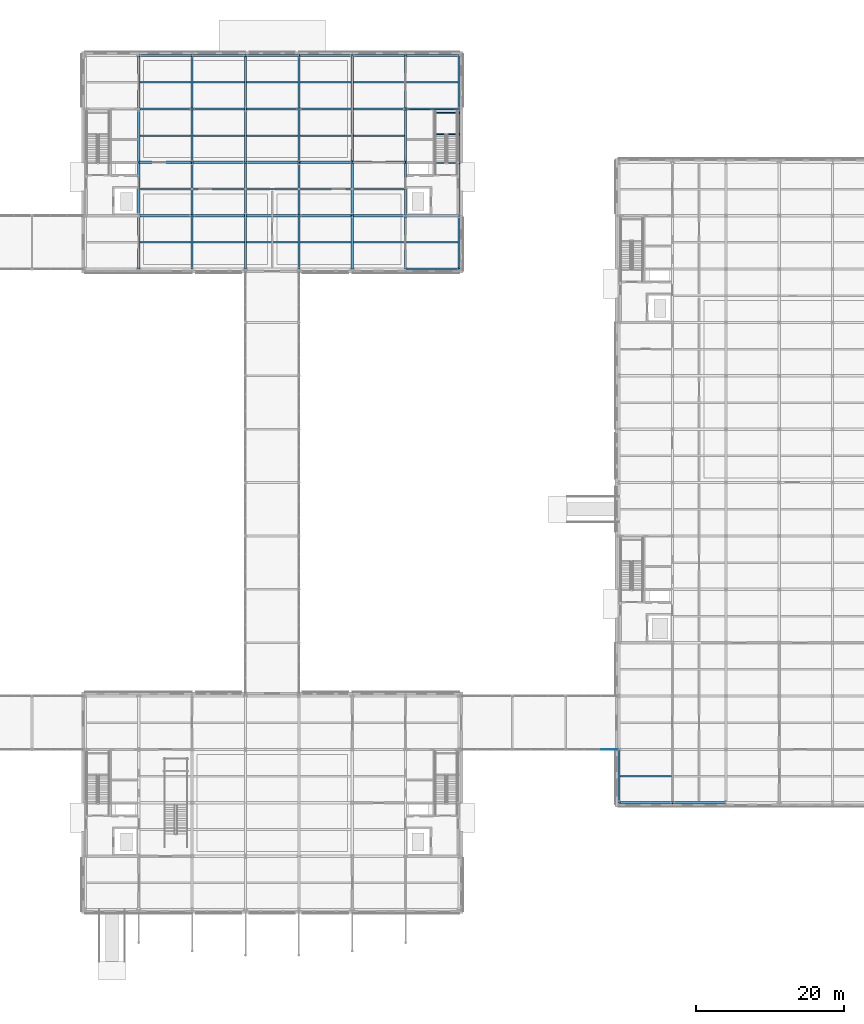
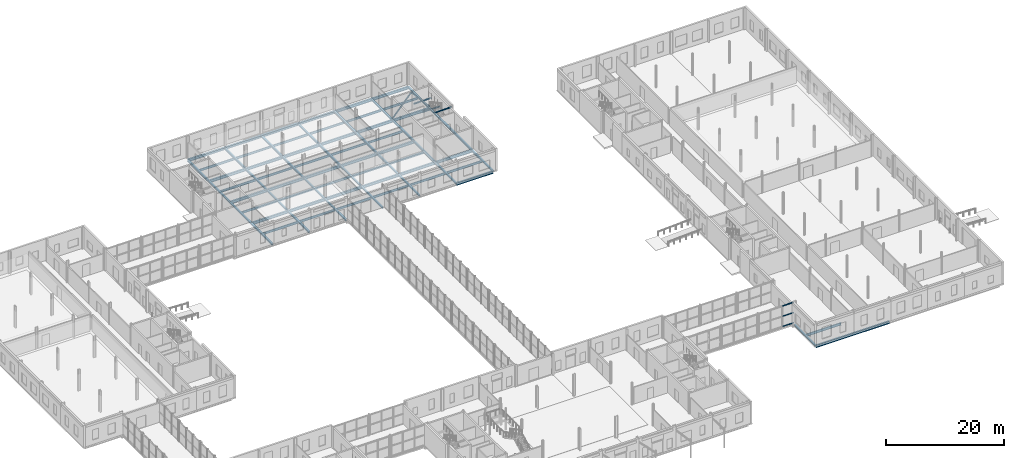
# One storey, part 38 of 92: 81 beams, 5 members, 1 element without a shape of its own.
"""IFC4 building model written with IfcOpenShell, lengths in metres."""

from ifc_helpers import new_model, si_unit, direction, frame, origin, origin_2d, place, context, subcontext, project, spatial, rectangle, hollow_rectangle, i_section, extrude, material, material_profile, profile_set, type_object, element, aggregate, save


model = new_model("IFC4")

# Units and contexts
model_context = context("Model", 3, precision=1e-05, world=origin(), true_north=direction((0.0, 1.0)))
body_context = subcontext(model_context, "Body", "Model", "MODEL_VIEW")
ifc_project = project(units=[si_unit("LENGTHUNIT", "METRE"), si_unit("AREAUNIT", "SQUARE_METRE"), si_unit("VOLUMEUNIT", "CUBIC_METRE"), si_unit("PLANEANGLEUNIT", "RADIAN"), si_unit("MASSUNIT", "GRAM", prefix="KILO")], contexts=[model_context])

# Site, building, storey
site_placement = place(None, origin())
site = spatial("IfcSite", under=ifc_project, at=site_placement, CompositionType="ELEMENT")
building_placement = place(site_placement, origin())
building = spatial("IfcBuilding", under=site, at=building_placement, Name="Zlatovets Crest Museum", CompositionType="ELEMENT")
storey_placement = place(building_placement, origin())
storey = spatial("IfcBuildingStorey", under=building, at=storey_placement, Name="L00", CompositionType="ELEMENT", Elevation=0.0)

# Beams
ifc_material_1 = material(Name="Structural steel S355J2", Category="steel")
ifc_material_profile_1 = material_profile(ifc_material_1, i_section(OverallWidth=0.300048828125, OverallDepth=0.35009765625, WebThickness=0.010009765625, FlangeThickness=0.017578125, FilletRadius=0.027099609375, at=origin_2d()), Name="HEA 360")
ifc_profile_set_1 = profile_set([ifc_material_profile_1], Name="Structural steel S355J2")
beam_type_1 = type_object("IfcBeamType", Name="Beam_B-03", PredefinedType="BEAM", material=ifc_profile_set_1)
beam_1_placement = place(storey_placement, frame((64.800048828125, 86.39990234375, -0.425048828125), z_axis=(0.0, 1.0, 0.0), x_axis=(-1.0, 0.0, 0.0)))
element("IfcBeam", 1, at=beam_1_placement, inside=storey, type_object=beam_type_1, Name="V1 L00 Grid Beam B-03", PredefinedType="BEAM", context=body_context, shape_type="SweptSolid", body=[
    extrude(i_section(OverallWidth=0.300048828125, OverallDepth=0.35009765625, WebThickness=0.010009765625, FlangeThickness=0.017578125, FilletRadius=0.027099609375, at=origin_2d()), origin(), (0.0, 0.0, 1.0), 7.2001953125),
])
for number, where, z_axis, x_axis, name in (
    (2, (64.800048828125, 93.60009765625, -0.425048828125), (0.0, 1.0, 0.0), (-1.0, 0.0, 0.0), "V1 L00 Grid Beam B-03"),
    (3, (64.800048828125, 100.800048828125, -0.425048828125), (0.0, 1.0, 0.0), (-1.0, 0.0, 0.0), "V1 L00 Grid Beam B-03"),
    (4, (64.800048828125, 108.0, -0.425048828125), (0.0, 1.0, 0.0), (-1.0, 0.0, 0.0), "V1 L00 Grid Beam B-03"),
):
    element("IfcBeam", number, at=place(storey_placement, frame(where, z_axis=z_axis, x_axis=x_axis)), inside=storey, type_object=beam_type_1, Name=name, PredefinedType="BEAM", context=body_context, shape_type="SweptSolid", body=[
        extrude(i_section(OverallWidth=0.300048828125, OverallDepth=0.35009765625, WebThickness=0.010009765625, FlangeThickness=0.017578125, FilletRadius=0.027099609375, at=origin_2d()), origin(), (0.0, 0.0, 1.0), 7.199951171875),
    ])
beam_2_placement = place(storey_placement, frame((72.0, 86.39990234375, -0.425048828125), z_axis=(0.0, 1.0, 0.0), x_axis=(-1.0, 0.0, 0.0)))
element("IfcBeam", 5, at=beam_2_placement, inside=storey, type_object=beam_type_1, Name="V1 L00 Grid Beam B-03", PredefinedType="BEAM", context=body_context, shape_type="SweptSolid", body=[
    extrude(i_section(OverallWidth=0.300048828125, OverallDepth=0.35009765625, WebThickness=0.010009765625, FlangeThickness=0.017578125, FilletRadius=0.027099609375, at=origin_2d()), origin(), (0.0, 0.0, 1.0), 7.2001953125),
])
for number, where, z_axis, x_axis, name in (
    (6, (72.0, 93.60009765625, -0.425048828125), (0.0, 1.0, 0.0), (-1.0, 0.0, 0.0), "V1 L00 Grid Beam B-03"),
    (7, (72.0, 100.800048828125, -0.425048828125), (0.0, 1.0, 0.0), (-1.0, 0.0, 0.0), "V1 L00 Grid Beam B-03"),
    (8, (72.0, 108.0, -0.425048828125), (0.0, 1.0, 0.0), (-1.0, 0.0, 0.0), "V1 L00 Grid Beam B-03"),
):
    element("IfcBeam", number, at=place(storey_placement, frame(where, z_axis=z_axis, x_axis=x_axis)), inside=storey, type_object=beam_type_1, Name=name, PredefinedType="BEAM", context=body_context, shape_type="SweptSolid", body=[
        extrude(i_section(OverallWidth=0.300048828125, OverallDepth=0.35009765625, WebThickness=0.010009765625, FlangeThickness=0.017578125, FilletRadius=0.027099609375, at=origin_2d()), origin(), (0.0, 0.0, 1.0), 7.199951171875),
    ])
beam_3_placement = place(storey_placement, frame((79.199951171875, 86.39990234375, -0.425048828125), z_axis=(0.0, 1.0, 0.0), x_axis=(-1.0, 0.0, 0.0)))
element("IfcBeam", 9, at=beam_3_placement, inside=storey, type_object=beam_type_1, Name="V1 L00 Grid Beam B-03", PredefinedType="BEAM", context=body_context, shape_type="SweptSolid", body=[
    extrude(i_section(OverallWidth=0.300048828125, OverallDepth=0.35009765625, WebThickness=0.010009765625, FlangeThickness=0.017578125, FilletRadius=0.027099609375, at=origin_2d()), origin(), (0.0, 0.0, 1.0), 7.2001953125),
])
for number, where, z_axis, x_axis, name in (
    (10, (79.199951171875, 93.60009765625, -0.425048828125), (0.0, 1.0, 0.0), (-1.0, 0.0, 0.0), "V1 L00 Grid Beam B-03"),
    (11, (79.199951171875, 100.800048828125, -0.425048828125), (0.0, 1.0, 0.0), (-1.0, 0.0, 0.0), "V1 L00 Grid Beam B-03"),
    (12, (79.199951171875, 108.0, -0.425048828125), (0.0, 1.0, 0.0), (-1.0, 0.0, 0.0), "V1 L00 Grid Beam B-03"),
):
    element("IfcBeam", number, at=place(storey_placement, frame(where, z_axis=z_axis, x_axis=x_axis)), inside=storey, type_object=beam_type_1, Name=name, PredefinedType="BEAM", context=body_context, shape_type="SweptSolid", body=[
        extrude(i_section(OverallWidth=0.300048828125, OverallDepth=0.35009765625, WebThickness=0.010009765625, FlangeThickness=0.017578125, FilletRadius=0.027099609375, at=origin_2d()), origin(), (0.0, 0.0, 1.0), 7.199951171875),
    ])
beam_4_placement = place(storey_placement, frame((86.39990234375, 86.39990234375, -0.425048828125), z_axis=(0.0, 1.0, 0.0), x_axis=(-1.0, 0.0, 0.0)))
element("IfcBeam", 13, at=beam_4_placement, inside=storey, type_object=beam_type_1, Name="V1 L00 Grid Beam B-03", PredefinedType="BEAM", context=body_context, shape_type="SweptSolid", body=[
    extrude(i_section(OverallWidth=0.300048828125, OverallDepth=0.35009765625, WebThickness=0.010009765625, FlangeThickness=0.017578125, FilletRadius=0.027099609375, at=origin_2d()), origin(), (0.0, 0.0, 1.0), 7.2001953125),
])
for number, where, z_axis, x_axis, name in (
    (14, (86.39990234375, 93.60009765625, -0.425048828125), (0.0, 1.0, 0.0), (-1.0, 0.0, 0.0), "V1 L00 Grid Beam B-03"),
    (15, (86.39990234375, 100.800048828125, -0.425048828125), (0.0, 1.0, 0.0), (-1.0, 0.0, 0.0), "V1 L00 Grid Beam B-03"),
    (16, (86.39990234375, 108.0, -0.425048828125), (0.0, 1.0, 0.0), (-1.0, 0.0, 0.0), "V1 L00 Grid Beam B-03"),
):
    element("IfcBeam", number, at=place(storey_placement, frame(where, z_axis=z_axis, x_axis=x_axis)), inside=storey, type_object=beam_type_1, Name=name, PredefinedType="BEAM", context=body_context, shape_type="SweptSolid", body=[
        extrude(i_section(OverallWidth=0.300048828125, OverallDepth=0.35009765625, WebThickness=0.010009765625, FlangeThickness=0.017578125, FilletRadius=0.027099609375, at=origin_2d()), origin(), (0.0, 0.0, 1.0), 7.199951171875),
    ])
beam_5_placement = place(storey_placement, frame((93.60009765625, 86.39990234375, -0.425048828125), z_axis=(0.0, 1.0, 0.0), x_axis=(-1.0, 0.0, 0.0)))
element("IfcBeam", 17, at=beam_5_placement, inside=storey, type_object=beam_type_1, Name="V1 L00 Grid Beam B-03", PredefinedType="BEAM", context=body_context, shape_type="SweptSolid", body=[
    extrude(i_section(OverallWidth=0.300048828125, OverallDepth=0.35009765625, WebThickness=0.010009765625, FlangeThickness=0.017578125, FilletRadius=0.027099609375, at=origin_2d()), origin(), (0.0, 0.0, 1.0), 7.2001953125),
])
for number, where, z_axis, x_axis, name in (
    (18, (93.60009765625, 93.60009765625, -0.425048828125), (0.0, 1.0, 0.0), (-1.0, 0.0, 0.0), "V1 L00 Grid Beam B-03"),
    (19, (93.60009765625, 100.800048828125, -0.425048828125), (0.0, 1.0, 0.0), (-1.0, 0.0, 0.0), "V1 L00 Grid Beam B-03"),
    (20, (93.60009765625, 108.0, -0.425048828125), (0.0, 1.0, 0.0), (-1.0, 0.0, 0.0), "V1 L00 Grid Beam B-03"),
):
    element("IfcBeam", number, at=place(storey_placement, frame(where, z_axis=z_axis, x_axis=x_axis)), inside=storey, type_object=beam_type_1, Name=name, PredefinedType="BEAM", context=body_context, shape_type="SweptSolid", body=[
        extrude(i_section(OverallWidth=0.300048828125, OverallDepth=0.35009765625, WebThickness=0.010009765625, FlangeThickness=0.017578125, FilletRadius=0.027099609375, at=origin_2d()), origin(), (0.0, 0.0, 1.0), 7.199951171875),
    ])
beam_6_placement = place(storey_placement, frame((100.800048828125, 86.39990234375, -0.425048828125), z_axis=(0.0, 1.0, 0.0), x_axis=(-1.0, 0.0, 0.0)))
element("IfcBeam", 21, at=beam_6_placement, inside=storey, type_object=beam_type_1, Name="V1 L00 Grid Beam B-03", PredefinedType="BEAM", context=body_context, shape_type="SweptSolid", body=[
    extrude(i_section(OverallWidth=0.300048828125, OverallDepth=0.35009765625, WebThickness=0.010009765625, FlangeThickness=0.017578125, FilletRadius=0.027099609375, at=origin_2d()), origin(), (0.0, 0.0, 1.0), 7.2001953125),
])
for number, where, z_axis, x_axis, name in (
    (22, (100.800048828125, 93.60009765625, -0.425048828125), (0.0, 1.0, 0.0), (-1.0, 0.0, 0.0), "V1 L00 Grid Beam B-03"),
    (23, (100.800048828125, 100.800048828125, -0.425048828125), (0.0, 1.0, 0.0), (-1.0, 0.0, 0.0), "V1 L00 Grid Beam B-03"),
    (24, (100.800048828125, 108.0, -0.425048828125), (0.0, 1.0, 0.0), (-1.0, 0.0, 0.0), "V1 L00 Grid Beam B-03"),
):
    element("IfcBeam", number, at=place(storey_placement, frame(where, z_axis=z_axis, x_axis=x_axis)), inside=storey, type_object=beam_type_1, Name=name, PredefinedType="BEAM", context=body_context, shape_type="SweptSolid", body=[
        extrude(i_section(OverallWidth=0.300048828125, OverallDepth=0.35009765625, WebThickness=0.010009765625, FlangeThickness=0.017578125, FilletRadius=0.027099609375, at=origin_2d()), origin(), (0.0, 0.0, 1.0), 7.199951171875),
    ])
beam_7_placement = place(storey_placement, frame((108.0, 86.39990234375, -0.425048828125), z_axis=(0.0, 1.0, 0.0), x_axis=(-1.0, 0.0, 0.0)))
element("IfcBeam", 25, at=beam_7_placement, inside=storey, type_object=beam_type_1, Name="V1 L00 Grid Beam B-03", PredefinedType="BEAM", context=body_context, shape_type="SweptSolid", body=[
    extrude(i_section(OverallWidth=0.300048828125, OverallDepth=0.35009765625, WebThickness=0.010009765625, FlangeThickness=0.017578125, FilletRadius=0.027099609375, at=origin_2d()), origin(), (0.0, 0.0, 1.0), 7.2001953125),
])
for number, where, z_axis, x_axis, name in (
    (26, (108.0, 93.60009765625, -0.425048828125), (0.0, 1.0, 0.0), (-1.0, 0.0, 0.0), "V1 L00 Grid Beam B-03"),
    (27, (108.0, 100.800048828125, -0.425048828125), (0.0, 1.0, 0.0), (-1.0, 0.0, 0.0), "V1 L00 Grid Beam B-03"),
    (28, (108.0, 108.0, -0.425048828125), (0.0, 1.0, 0.0), (-1.0, 0.0, 0.0), "V1 L00 Grid Beam B-03"),
):
    element("IfcBeam", number, at=place(storey_placement, frame(where, z_axis=z_axis, x_axis=x_axis)), inside=storey, type_object=beam_type_1, Name=name, PredefinedType="BEAM", context=body_context, shape_type="SweptSolid", body=[
        extrude(i_section(OverallWidth=0.300048828125, OverallDepth=0.35009765625, WebThickness=0.010009765625, FlangeThickness=0.017578125, FilletRadius=0.027099609375, at=origin_2d()), origin(), (0.0, 0.0, 1.0), 7.199951171875),
    ])
beam_8_placement = place(storey_placement, frame((129.60009765625, 14.39990234375, -0.455078125), z_axis=(0.0, 1.0, 0.0), x_axis=(-1.0, 0.0, 0.0)))
element("IfcBeam", 29, at=beam_8_placement, inside=storey, type_object=beam_type_1, Name="V5 L00 Grid Beam B-03", PredefinedType="BEAM", context=body_context, shape_type="SweptSolid", body=[
    extrude(i_section(OverallWidth=0.300048828125, OverallDepth=0.35009765625, WebThickness=0.010009765625, FlangeThickness=0.017578125, FilletRadius=0.027099609375, at=origin_2d()), origin(), (0.0, 0.0, 1.0), 7.2001953125),
])
ifc_material_profile_2 = material_profile(ifc_material_1, i_section(OverallWidth=0.300048828125, OverallDepth=0.5400390625, WebThickness=0.012451171875, FlangeThickness=0.02392578125, FilletRadius=0.027099609375, at=origin_2d()), Name="HEA 550")
ifc_profile_set_2 = profile_set([ifc_material_profile_2], Name="Structural steel S355J2")
beam_type_2 = type_object("IfcBeamType", Name="Beam_B-09", PredefinedType="BEAM", material=ifc_profile_set_2)
for number, where, z_axis, x_axis, name in (
    (30, (100.800048828125, 86.39990234375, -0.52001953125), (1.0, 0.0, 0.0), (0.0, 1.0, 0.0), "V1 L00 Primary Girder B-09"),
    (31, (64.800048828125, 93.60009765625, -0.52001953125), (1.0, 0.0, 0.0), (0.0, 1.0, 0.0), "V1 L00 Primary Girder B-09"),
    (32, (72.0, 93.60009765625, -0.52001953125), (1.0, 0.0, 0.0), (0.0, 1.0, 0.0), "V1 L00 Primary Girder B-09"),
    (33, (79.199951171875, 93.60009765625, -0.52001953125), (1.0, 0.0, 0.0), (0.0, 1.0, 0.0), "V1 L00 Primary Girder B-09"),
):
    element("IfcBeam", number, at=place(storey_placement, frame(where, z_axis=z_axis, x_axis=x_axis)), inside=storey, type_object=beam_type_2, Name=name, PredefinedType="BEAM", context=body_context, shape_type="SweptSolid", body=[
        extrude(i_section(OverallWidth=0.300048828125, OverallDepth=0.5400390625, WebThickness=0.012451171875, FlangeThickness=0.02392578125, FilletRadius=0.027099609375, at=origin_2d()), origin(), (0.0, 0.0, 1.0), 7.199951171875),
    ])
beam_9_placement = place(storey_placement, frame((86.39990234375, 93.60009765625, -0.52001953125), z_axis=(1.0, 0.0, 0.0), x_axis=(0.0, 1.0, 0.0)))
element("IfcBeam", 34, at=beam_9_placement, inside=storey, type_object=beam_type_2, Name="V1 L00 Primary Girder B-09", PredefinedType="BEAM", context=body_context, shape_type="SweptSolid", body=[
    extrude(i_section(OverallWidth=0.300048828125, OverallDepth=0.5400390625, WebThickness=0.012451171875, FlangeThickness=0.02392578125, FilletRadius=0.027099609375, at=origin_2d()), origin(), (0.0, 0.0, 1.0), 7.2001953125),
])
for number, where, z_axis, x_axis, name in (
    (35, (93.60009765625, 93.60009765625, -0.52001953125), (1.0, 0.0, 0.0), (0.0, 1.0, 0.0), "V1 L00 Primary Girder B-09"),
    (36, (100.800048828125, 93.60009765625, -0.52001953125), (1.0, 0.0, 0.0), (0.0, 1.0, 0.0), "V1 L00 Primary Girder B-09"),
    (37, (64.800048828125, 100.800048828125, -0.52001953125), (1.0, 0.0, 0.0), (0.0, 1.0, 0.0), "V1 L00 Primary Girder B-09"),
    (38, (72.0, 100.800048828125, -0.52001953125), (1.0, 0.0, 0.0), (0.0, 1.0, 0.0), "V1 L00 Primary Girder B-09"),
    (39, (79.199951171875, 100.800048828125, -0.52001953125), (1.0, 0.0, 0.0), (0.0, 1.0, 0.0), "V1 L00 Primary Girder B-09"),
):
    element("IfcBeam", number, at=place(storey_placement, frame(where, z_axis=z_axis, x_axis=x_axis)), inside=storey, type_object=beam_type_2, Name=name, PredefinedType="BEAM", context=body_context, shape_type="SweptSolid", body=[
        extrude(i_section(OverallWidth=0.300048828125, OverallDepth=0.5400390625, WebThickness=0.012451171875, FlangeThickness=0.02392578125, FilletRadius=0.027099609375, at=origin_2d()), origin(), (0.0, 0.0, 1.0), 7.199951171875),
    ])
beam_10_placement = place(storey_placement, frame((86.39990234375, 100.800048828125, -0.52001953125), z_axis=(1.0, 0.0, 0.0), x_axis=(0.0, 1.0, 0.0)))
element("IfcBeam", 40, at=beam_10_placement, inside=storey, type_object=beam_type_2, Name="V1 L00 Primary Girder B-09", PredefinedType="BEAM", context=body_context, shape_type="SweptSolid", body=[
    extrude(i_section(OverallWidth=0.300048828125, OverallDepth=0.5400390625, WebThickness=0.012451171875, FlangeThickness=0.02392578125, FilletRadius=0.027099609375, at=origin_2d()), origin(), (0.0, 0.0, 1.0), 7.2001953125),
])
for number, where, z_axis, x_axis, name in (
    (41, (93.60009765625, 100.800048828125, -0.52001953125), (1.0, 0.0, 0.0), (0.0, 1.0, 0.0), "V1 L00 Primary Girder B-09"),
    (42, (64.800048828125, 108.0, -0.52001953125), (1.0, 0.0, 0.0), (0.0, 1.0, 0.0), "V1 L00 Primary Girder B-09"),
    (43, (72.0, 108.0, -0.52001953125), (1.0, 0.0, 0.0), (0.0, 1.0, 0.0), "V1 L00 Primary Girder B-09"),
    (44, (79.199951171875, 108.0, -0.52001953125), (1.0, 0.0, 0.0), (0.0, 1.0, 0.0), "V1 L00 Primary Girder B-09"),
):
    element("IfcBeam", number, at=place(storey_placement, frame(where, z_axis=z_axis, x_axis=x_axis)), inside=storey, type_object=beam_type_2, Name=name, PredefinedType="BEAM", context=body_context, shape_type="SweptSolid", body=[
        extrude(i_section(OverallWidth=0.300048828125, OverallDepth=0.5400390625, WebThickness=0.012451171875, FlangeThickness=0.02392578125, FilletRadius=0.027099609375, at=origin_2d()), origin(), (0.0, 0.0, 1.0), 7.199951171875),
    ])
beam_11_placement = place(storey_placement, frame((86.39990234375, 108.0, -0.52001953125), z_axis=(1.0, 0.0, 0.0), x_axis=(0.0, 1.0, 0.0)))
element("IfcBeam", 45, at=beam_11_placement, inside=storey, type_object=beam_type_2, Name="V1 L00 Primary Girder B-09", PredefinedType="BEAM", context=body_context, shape_type="SweptSolid", body=[
    extrude(i_section(OverallWidth=0.300048828125, OverallDepth=0.5400390625, WebThickness=0.012451171875, FlangeThickness=0.02392578125, FilletRadius=0.027099609375, at=origin_2d()), origin(), (0.0, 0.0, 1.0), 7.2001953125),
])
for number, where, z_axis, x_axis, name in (
    (46, (93.60009765625, 108.0, -0.52001953125), (1.0, 0.0, 0.0), (0.0, 1.0, 0.0), "V1 L00 Primary Girder B-09"),
    (47, (100.800048828125, 108.0, -0.52001953125), (1.0, 0.0, 0.0), (0.0, 1.0, 0.0), "V1 L00 Primary Girder B-09"),
    (48, (64.800048828125, 115.199951171875, -0.52001953125), (1.0, 0.0, 0.0), (0.0, 1.0, 0.0), "V1 L00 Primary Girder B-09"),
    (49, (72.0, 115.199951171875, -0.52001953125), (1.0, 0.0, 0.0), (0.0, 1.0, 0.0), "V1 L00 Primary Girder B-09"),
    (50, (79.199951171875, 115.199951171875, -0.52001953125), (1.0, 0.0, 0.0), (0.0, 1.0, 0.0), "V1 L00 Primary Girder B-09"),
):
    element("IfcBeam", number, at=place(storey_placement, frame(where, z_axis=z_axis, x_axis=x_axis)), inside=storey, type_object=beam_type_2, Name=name, PredefinedType="BEAM", context=body_context, shape_type="SweptSolid", body=[
        extrude(i_section(OverallWidth=0.300048828125, OverallDepth=0.5400390625, WebThickness=0.012451171875, FlangeThickness=0.02392578125, FilletRadius=0.027099609375, at=origin_2d()), origin(), (0.0, 0.0, 1.0), 7.199951171875),
    ])
beam_12_placement = place(storey_placement, frame((86.39990234375, 115.199951171875, -0.52001953125), z_axis=(1.0, 0.0, 0.0), x_axis=(0.0, 1.0, 0.0)))
element("IfcBeam", 51, at=beam_12_placement, inside=storey, type_object=beam_type_2, Name="V1 L00 Primary Girder B-09", PredefinedType="BEAM", context=body_context, shape_type="SweptSolid", body=[
    extrude(i_section(OverallWidth=0.300048828125, OverallDepth=0.5400390625, WebThickness=0.012451171875, FlangeThickness=0.02392578125, FilletRadius=0.027099609375, at=origin_2d()), origin(), (0.0, 0.0, 1.0), 7.2001953125),
])
for number, where, z_axis, x_axis, name in (
    (52, (93.60009765625, 115.199951171875, -0.52001953125), (1.0, 0.0, 0.0), (0.0, 1.0, 0.0), "V1 L00 Primary Girder B-09"),
    (53, (100.800048828125, 115.199951171875, -0.52001953125), (1.0, 0.0, 0.0), (0.0, 1.0, 0.0), "V1 L00 Primary Girder B-09"),
    (54, (129.60009765625, 14.39990234375, -0.550048828125), (1.0, 0.0, 0.0), (0.0, 1.0, 0.0), "V5 L00 Primary Girder B-09"),
    (55, (136.800048828125, 14.39990234375, -0.550048828125), (1.0, 0.0, 0.0), (0.0, 1.0, 0.0), "V5 L00 Primary Girder B-09"),
):
    element("IfcBeam", number, at=place(storey_placement, frame(where, z_axis=z_axis, x_axis=x_axis)), inside=storey, type_object=beam_type_2, Name=name, PredefinedType="BEAM", context=body_context, shape_type="SweptSolid", body=[
        extrude(i_section(OverallWidth=0.300048828125, OverallDepth=0.5400390625, WebThickness=0.012451171875, FlangeThickness=0.02392578125, FilletRadius=0.027099609375, at=origin_2d()), origin(), (0.0, 0.0, 1.0), 7.199951171875),
    ])
ifc_material_profile_3 = material_profile(ifc_material_1, i_section(OverallWidth=0.18994140625, OverallDepth=0.449951171875, WebThickness=0.009521484375, FlangeThickness=0.0146484375, FilletRadius=0.02099609375, at=origin_2d()), Name="IPE 450")
ifc_profile_set_3 = profile_set([ifc_material_profile_3], Name="Structural steel S355J2")
beam_type_3 = type_object("IfcBeamType", Name="Beam_J-05", PredefinedType="JOIST", material=ifc_profile_set_3)
for number, where, z_axis, x_axis, name in (
    (56, (64.949951171875, 90.0, -0.47509765625), (1.0, 0.0, 0.0), (0.0, 1.0, 0.0), "V1 L00 Composite Joist J-05"),
    (57, (64.949951171875, 97.199951171875, -0.47509765625), (1.0, 0.0, 0.0), (0.0, 1.0, 0.0), "V1 L00 Composite Joist J-05"),
    (58, (64.949951171875, 104.39990234375, -0.47509765625), (1.0, 0.0, 0.0), (0.0, 1.0, 0.0), "V1 L00 Composite Joist J-05"),
    (59, (64.949951171875, 111.60009765625, -0.47509765625), (1.0, 0.0, 0.0), (0.0, 1.0, 0.0), "V1 L00 Composite Joist J-05"),
    (60, (72.14990234375, 90.0, -0.47509765625), (1.0, 0.0, 0.0), (0.0, 1.0, 0.0), "V1 L00 Composite Joist J-05"),
    (61, (72.14990234375, 97.199951171875, -0.47509765625), (1.0, 0.0, 0.0), (0.0, 1.0, 0.0), "V1 L00 Composite Joist J-05"),
    (62, (72.14990234375, 104.39990234375, -0.47509765625), (1.0, 0.0, 0.0), (0.0, 1.0, 0.0), "V1 L00 Composite Joist J-05"),
    (63, (72.14990234375, 111.60009765625, -0.47509765625), (1.0, 0.0, 0.0), (0.0, 1.0, 0.0), "V1 L00 Composite Joist J-05"),
):
    element("IfcBeam", number, at=place(storey_placement, frame(where, z_axis=z_axis, x_axis=x_axis)), inside=storey, type_object=beam_type_3, Name=name, PredefinedType="JOIST", context=body_context, shape_type="SweptSolid", body=[
        extrude(i_section(OverallWidth=0.18994140625, OverallDepth=0.449951171875, WebThickness=0.009521484375, FlangeThickness=0.0146484375, FilletRadius=0.02099609375, at=origin_2d()), origin(), (0.0, 0.0, 1.0), 6.900146484375),
    ])
for number, where, z_axis, x_axis, name in (
    (64, (79.35009765625, 90.0, -0.47509765625), (1.0, 0.0, 0.0), (0.0, 1.0, 0.0), "V1 L00 Composite Joist J-05"),
    (65, (79.35009765625, 97.199951171875, -0.47509765625), (1.0, 0.0, 0.0), (0.0, 1.0, 0.0), "V1 L00 Composite Joist J-05"),
    (66, (79.35009765625, 104.39990234375, -0.47509765625), (1.0, 0.0, 0.0), (0.0, 1.0, 0.0), "V1 L00 Composite Joist J-05"),
    (67, (79.35009765625, 111.60009765625, -0.47509765625), (1.0, 0.0, 0.0), (0.0, 1.0, 0.0), "V1 L00 Composite Joist J-05"),
    (68, (86.550048828125, 90.0, -0.47509765625), (1.0, 0.0, 0.0), (0.0, 1.0, 0.0), "V1 L00 Composite Joist J-05"),
    (69, (86.550048828125, 97.199951171875, -0.47509765625), (1.0, 0.0, 0.0), (0.0, 1.0, 0.0), "V1 L00 Composite Joist J-05"),
    (70, (86.550048828125, 104.39990234375, -0.47509765625), (1.0, 0.0, 0.0), (0.0, 1.0, 0.0), "V1 L00 Composite Joist J-05"),
    (71, (86.550048828125, 111.60009765625, -0.47509765625), (1.0, 0.0, 0.0), (0.0, 1.0, 0.0), "V1 L00 Composite Joist J-05"),
    (72, (93.75, 90.0, -0.47509765625), (1.0, 0.0, 0.0), (0.0, 1.0, 0.0), "V1 L00 Composite Joist J-05"),
    (73, (93.75, 97.199951171875, -0.47509765625), (1.0, 0.0, 0.0), (0.0, 1.0, 0.0), "V1 L00 Composite Joist J-05"),
    (74, (93.75, 104.39990234375, -0.47509765625), (1.0, 0.0, 0.0), (0.0, 1.0, 0.0), "V1 L00 Composite Joist J-05"),
    (75, (93.75, 111.60009765625, -0.47509765625), (1.0, 0.0, 0.0), (0.0, 1.0, 0.0), "V1 L00 Composite Joist J-05"),
):
    element("IfcBeam", number, at=place(storey_placement, frame(where, z_axis=z_axis, x_axis=x_axis)), inside=storey, type_object=beam_type_3, Name=name, PredefinedType="JOIST", context=body_context, shape_type="SweptSolid", body=[
        extrude(i_section(OverallWidth=0.18994140625, OverallDepth=0.449951171875, WebThickness=0.009521484375, FlangeThickness=0.0146484375, FilletRadius=0.02099609375, at=origin_2d()), origin(), (0.0, 0.0, 1.0), 6.89990234375),
    ])
for number, where, z_axis, x_axis, name in (
    (76, (100.949951171875, 90.0, -0.47509765625), (1.0, 0.0, 0.0), (0.0, 1.0, 0.0), "V1 L00 Composite Joist J-05"),
    (77, (100.949951171875, 111.60009765625, -0.47509765625), (1.0, 0.0, 0.0), (0.0, 1.0, 0.0), "V1 L00 Composite Joist J-05"),
):
    element("IfcBeam", number, at=place(storey_placement, frame(where, z_axis=z_axis, x_axis=x_axis)), inside=storey, type_object=beam_type_3, Name=name, PredefinedType="JOIST", context=body_context, shape_type="SweptSolid", body=[
        extrude(i_section(OverallWidth=0.18994140625, OverallDepth=0.449951171875, WebThickness=0.009521484375, FlangeThickness=0.0146484375, FilletRadius=0.02099609375, at=origin_2d()), origin(), (0.0, 0.0, 1.0), 6.900146484375),
    ])
ifc_material_profile_4 = material_profile(ifc_material_1, i_section(OverallWidth=0.199951171875, OverallDepth=0.5, WebThickness=0.01025390625, FlangeThickness=0.01611328125, FilletRadius=0.02099609375, at=origin_2d()), Name="IPE 500")
ifc_profile_set_4 = profile_set([ifc_material_profile_4], Name="Structural steel S355J2")
beam_type_4 = type_object("IfcBeamType", Name="Beam_J-06", PredefinedType="JOIST", material=ifc_profile_set_4)
beam_13_placement = place(storey_placement, frame((129.75, 18.0, -0.530029296875), z_axis=(1.0, 0.0, 0.0), x_axis=(0.0, 1.0, 0.0)))
element("IfcBeam", 78, at=beam_13_placement, inside=storey, type_object=beam_type_4, Name="V5 L00 Composite Joist J-06", PredefinedType="JOIST", context=body_context, shape_type="SweptSolid", body=[
    extrude(i_section(OverallWidth=0.199951171875, OverallDepth=0.5, WebThickness=0.01025390625, FlangeThickness=0.01611328125, FilletRadius=0.02099609375, at=origin_2d()), origin(), (0.0, 0.0, 1.0), 6.89990234375),
])
ifc_material_profile_5 = material_profile(ifc_material_1, i_section(OverallWidth=0.10009765625, OverallDepth=0.199951171875, WebThickness=0.005615234375, FlangeThickness=0.008544921875, FilletRadius=0.011962890625, at=origin_2d()), Name="IPE 200")
ifc_profile_set_5 = profile_set([ifc_material_profile_5], Name="Structural steel S355J2")
beam_type_5 = type_object("IfcBeamType", Name="Beam_PR-02", PredefinedType="LINTEL", material=ifc_profile_set_5)
for number, where, z_axis, x_axis, name in (
    (79, (104.64990234375, 100.699951171875, 4.159912109375), (1.0, 0.0, 0.0), (0.0, 1.0, 0.0), "Core C6 L00 Stair Well Header Beam"),
    (80, (104.64990234375, 104.60009765625, 1.949951171875), (1.0, 0.0, 0.0), (0.0, 1.0, 0.0), "Core C6 L00 Half-Landing Support Beam"),
    (81, (104.64990234375, 107.47998046875, 1.949951171875), (1.0, 0.0, 0.0), (0.0, 1.0, 0.0), "Core C6 L00 Half-Landing Support Beam"),
):
    element("IfcBeam", number, at=place(storey_placement, frame(where, z_axis=z_axis, x_axis=x_axis)), inside=storey, type_object=beam_type_5, Name=name, PredefinedType="LINTEL", context=body_context, shape_type="SweptSolid", body=[
        extrude(i_section(OverallWidth=0.10009765625, OverallDepth=0.199951171875, WebThickness=0.005615234375, FlangeThickness=0.008544921875, FilletRadius=0.011962890625, at=origin_2d()), origin(), (0.0, 0.0, 1.0), 3.35009765625),
    ])

# Curtain wall, members
ifc_material_2 = material(Name="Bronze-anodised aluminium and low-E triple glass", Category="aluminium")
curtain_wall_type = type_object("IfcCurtainWallType", Name="CW_CW-BR4-L00-S69", PredefinedType="NOTDEFINED", material=ifc_material_2)
curtain_wall_placement = place(storey_placement, origin())
curtain_wall = element("IfcCurtainWall", 82, at=curtain_wall_placement, inside=storey, type_object=curtain_wall_type, Name="Southeast Archive Glazed Link Bridge L00 Glazed Bridge Curtain Wall", PredefinedType="NOTDEFINED")
ifc_material_3 = material(Name="Bronze-anodised aluminium EN AW-6060", Category="aluminium")
ifc_material_profile_6 = material_profile(ifc_material_3, rectangle(XDim=0.080078125, YDim=0.159912109375, at=origin_2d()), Name="ALU 80x160")
ifc_profile_set_6 = profile_set([ifc_material_profile_6], Name="Bronze-anodised aluminium EN AW-6060")
member_type_1 = type_object("IfcMemberType", Name="CWTrans_T1", PredefinedType="USERDEFINED", material=ifc_profile_set_6)
member_1_placement = place(storey_placement, frame((127.179931640625, 21.60009765625, 0.030029296875), z_axis=(1.0, 0.0, 0.0), x_axis=(0.0, 1.0, 0.0)))
member_1 = element("IfcMember", 83, at=member_1_placement, type_object=member_type_1, Name="CW-BR4-L00-S69 transom 3.1", ObjectType="TRANSOM", PredefinedType="USERDEFINED", context=body_context, shape_type="SweptSolid", body=[
    extrude(rectangle(XDim=0.080078125, YDim=0.159912109375, at=origin_2d()), origin(), (0.0, 0.0, 1.0), 2.2099609375),
])
member_2_placement = place(storey_placement, frame((127.179931640625, 21.60009765625, 2.139892578125), z_axis=(1.0, 0.0, 0.0), x_axis=(0.0, 1.0, 0.0)))
member_2 = element("IfcMember", 84, at=member_2_placement, type_object=member_type_1, Name="CW-BR4-L00-S69 transom 3.2", ObjectType="TRANSOM", PredefinedType="USERDEFINED", context=body_context, shape_type="SweptSolid", body=[
    extrude(rectangle(XDim=0.080078125, YDim=0.159912109375, at=origin_2d()), origin(), (0.0, 0.0, 1.0), 2.2099609375),
])
member_3_placement = place(storey_placement, frame((127.179931640625, 21.60009765625, 4.25), z_axis=(1.0, 0.0, 0.0), x_axis=(0.0, 1.0, 0.0)))
member_3 = element("IfcMember", 85, at=member_3_placement, type_object=member_type_1, Name="CW-BR4-L00-S69 transom 3.3", ObjectType="TRANSOM", PredefinedType="USERDEFINED", context=body_context, shape_type="SweptSolid", body=[
    extrude(rectangle(XDim=0.080078125, YDim=0.159912109375, at=origin_2d()), origin(), (0.0, 0.0, 1.0), 2.2099609375),
])
aggregate(curtain_wall, [member_1, member_2, member_3])

# Members
ifc_material_profile_7 = material_profile(ifc_material_1, hollow_rectangle(XDim=0.219970703125, YDim=0.219970703125, WallThickness=0.012451171875, InnerFilletRadius=0.012451171875, OuterFilletRadius=0.02490234375, at=origin_2d()), Name="SHS 220x220x12.5")
ifc_profile_set_7 = profile_set([ifc_material_profile_7], Name="Structural steel S355J2")
member_type_2 = type_object("IfcMemberType", Name="Member_BR-07", PredefinedType="BRACE", material=ifc_profile_set_7)
for number, where, z_axis, x_axis, name in (
    (86, (100.800048828125, 108.0, 0.0), (0.664344262737, 0.0, 0.747426719196), (0.0, 1.0, 0.0), "V1 L00 Concentric Seismic Brace"),
    (87, (108.0, 108.0, 0.0), (-0.664369431748, 0.0, 0.747404347163), (0.0, -1.0, 0.0), "V1 L00 Concentric Seismic Brace"),
):
    element("IfcMember", number, at=place(storey_placement, frame(where, z_axis=z_axis, x_axis=x_axis)), inside=storey, type_object=member_type_2, Name=name, PredefinedType="BRACE", context=body_context, shape_type="SweptSolid", body=[
        extrude(hollow_rectangle(XDim=0.219970703125, YDim=0.219970703125, WallThickness=0.012451171875, InnerFilletRadius=0.012451171875, OuterFilletRadius=0.02490234375, at=origin_2d()), origin(), (0.0, 0.0, 1.0), 5.418701171875),
    ])

save(model, "model.ifc")
